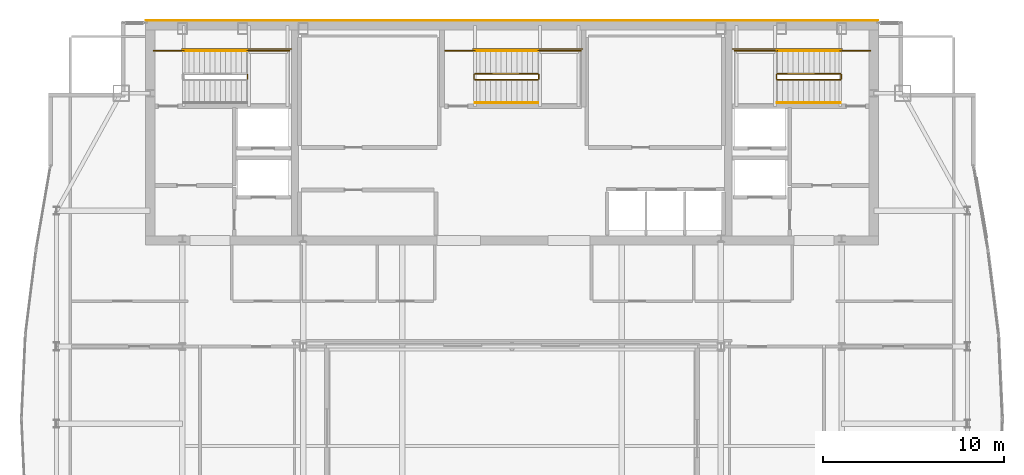
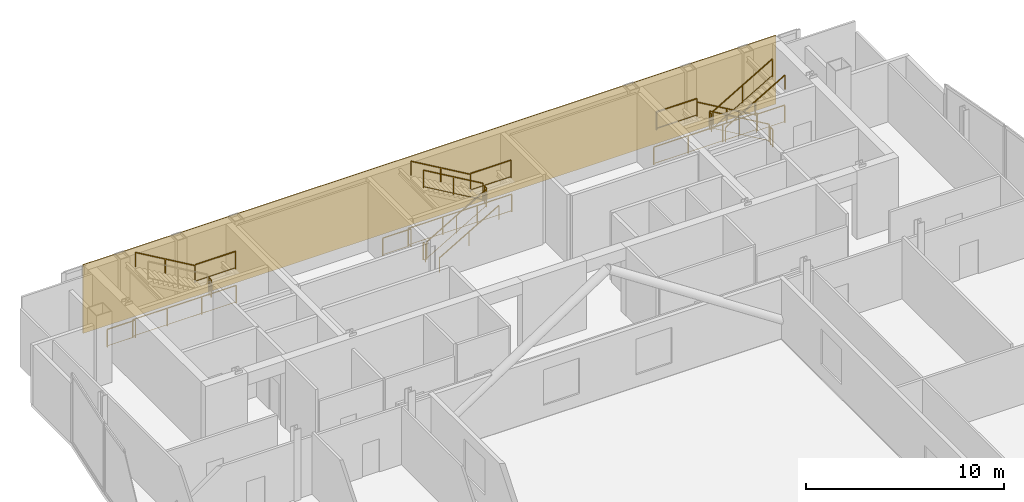
# One storey, part 27 of 27: 23 railings, 1 covering.
"""IFC4 building model written with IfcOpenShell, lengths in metres."""

from ifc_helpers import new_model, si_unit, direction, frame, origin, origin_2d, place, context, subcontext, project, spatial, polyline, rectangle, outline, extrude, material, layer, layer_set, type_object, element, save


model = new_model("IFC4")

# Units and contexts
model_context = context("Model", 3, precision=1e-05, world=origin(), true_north=direction((0.0, 1.0)))
body_context = subcontext(model_context, "Body", "Model", "MODEL_VIEW")
ifc_project = project(units=[si_unit("LENGTHUNIT", "METRE"), si_unit("AREAUNIT", "SQUARE_METRE"), si_unit("VOLUMEUNIT", "CUBIC_METRE"), si_unit("PLANEANGLEUNIT", "RADIAN"), si_unit("MASSUNIT", "GRAM", prefix="KILO")], contexts=[model_context])

# Site, building, storey
site_placement = place(None, origin())
site = spatial("IfcSite", under=ifc_project, at=site_placement, CompositionType="ELEMENT")
building_placement = place(site_placement, origin())
building = spatial("IfcBuilding", under=site, at=building_placement, Name="Khoronbel Lancet Exchange", CompositionType="ELEMENT")
storey_placement = place(building_placement, frame((0.0, 0.0, 305.800048828125)))
storey = spatial("IfcBuildingStorey", under=building, at=storey_placement, Name="L79", CompositionType="ELEMENT", Elevation=305.800048828125)

# Covering
ifc_material_1 = material(Name="Honed Egyptian Limestone & Bronze Rainscreen", Category="masonry")
ifc_layer = layer(ifc_material_1, 0.050048828125, Name="Honed Egyptian Limestone & Bronze Rainscreen")
ifc_layer_set = layer_set([ifc_layer], Name="Honed Egyptian Limestone & Bronze Rainscreen")
covering_type = type_object("IfcCoveringType", Name="COV-CLAD1", PredefinedType="CLADDING", material=ifc_layer_set)
covering_placement = place(storey_placement, origin())
element("IfcCovering", 1, at=covering_placement, inside=storey, type_object=covering_type, Name="Level L79 north rear-core stone and bronze rainscreen cladding", PredefinedType="CLADDING", context=body_context, shape_type="SweptSolid", body=[
    extrude(outline(polyline([(16.199951171875, 53.699951171875), (56.699951171875, 53.699951171875), (56.699951171875, 53.75), (16.199951171875, 53.75), (16.199951171875, 53.699951171875)])), origin(), (0.0, 0.0, 1.0), 4.239990234375),
])

# Railings
ifc_material_2 = material(Name="Painted Steel Balustrade", Category="steel")
railing_type_1 = type_object("IfcRailingType", Name="RL-STG110", PredefinedType="GUARDRAIL", material=ifc_material_2)
railing_1_placement = place(storey_placement, frame((21.830078125, 50.5, 2.199951171875)))
element("IfcRailing", 2, at=railing_1_placement, inside=storey, type_object=railing_type_1, Name="L79 ST1 stair guard 2", PredefinedType="GUARDRAIL", context=body_context, shape_type="SweptSolid", body=[
    extrude(rectangle(XDim=0.048095703125, YDim=0.048095703125, at=origin_2d()), frame((0.0, 0.0, 1.09619140625), z_axis=(0.0, 1.0, 0.0), x_axis=(-1.0, 0.0, 0.0)), (0.0, 0.0, 1.0), 0.219970703125),
    extrude(rectangle(XDim=0.02392578125, YDim=0.02392578125, at=origin_2d()), frame((0.0, 0.0, 0.080078125), z_axis=(0.0, 1.0, 0.0), x_axis=(-1.0, 0.0, 0.0)), (0.0, 0.0, 1.0), 0.219970703125),
    extrude(rectangle(XDim=0.0419921875, YDim=0.0419921875, at=origin_2d()), origin(), (0.0, 0.0, 1.0), 1.072021484375),
    extrude(rectangle(XDim=0.0419921875, YDim=0.0419921875, at=origin_2d()), frame((0.0, 0.219970703125, 0.0)), (0.0, 0.0, 1.0), 1.072021484375),
])
railing_2_placement = place(storey_placement, frame((21.780029296875, 52.050048828125, 2.199951171875)))
element("IfcRailing", 3, at=railing_2_placement, inside=storey, type_object=railing_type_1, Name="L79 ST1 stair guard 3", PredefinedType="GUARDRAIL", context=body_context, shape_type="SweptSolid", body=[
    extrude(rectangle(XDim=0.048095703125, YDim=0.048095703125, at=origin_2d()), frame((0.0, 0.0, 1.09619140625), z_axis=(1.0, 0.0, 0.0), x_axis=(0.0, 1.0, 0.0)), (0.0, 0.0, 1.0), 2.369873046875),
    extrude(rectangle(XDim=0.02392578125, YDim=0.02392578125, at=origin_2d()), frame((0.0, 0.0, 0.080078125), z_axis=(1.0, 0.0, 0.0), x_axis=(0.0, 1.0, 0.0)), (0.0, 0.0, 1.0), 2.369873046875),
    extrude(rectangle(XDim=0.0419921875, YDim=0.0419921875, at=origin_2d()), origin(), (0.0, 0.0, 1.0), 1.072021484375),
    extrude(rectangle(XDim=0.0419921875, YDim=0.0419921875, at=origin_2d()), frame((2.369873046875, 0.0, 0.0)), (0.0, 0.0, 1.0), 1.072021484375),
])
railing_3_placement = place(storey_placement, frame((16.64990234375, 52.050048828125, 0.0)))
element("IfcRailing", 4, at=railing_3_placement, inside=storey, type_object=railing_type_1, Name="L79 ST1 stair guard 6", PredefinedType="GUARDRAIL", context=body_context, shape_type="SweptSolid", body=[
    extrude(rectangle(XDim=0.048095703125, YDim=0.048095703125, at=origin_2d()), frame((0.0, 0.0, 1.09619140625), z_axis=(1.0, 0.0, 0.0), x_axis=(0.0, 1.0, 0.0)), (0.0, 0.0, 1.0), 1.650146484375),
    extrude(rectangle(XDim=0.02392578125, YDim=0.02392578125, at=origin_2d()), frame((0.0, 0.0, 0.080078125), z_axis=(1.0, 0.0, 0.0), x_axis=(0.0, 1.0, 0.0)), (0.0, 0.0, 1.0), 1.650146484375),
    extrude(rectangle(XDim=0.0419921875, YDim=0.0419921875, at=origin_2d()), origin(), (0.0, 0.0, 1.0), 1.072021484375),
    extrude(rectangle(XDim=0.0419921875, YDim=0.0419921875, at=origin_2d()), frame((1.650146484375, 0.0, 0.0)), (0.0, 0.0, 1.0), 1.072021484375),
])
railing_4_placement = place(storey_placement, frame((18.199951171875, 52.14990234375, 0.0)))
element("IfcRailing", 5, at=railing_4_placement, inside=storey, type_object=railing_type_1, Name="L79 ST1 stair guard 7", PredefinedType="GUARDRAIL", context=body_context, shape_type="SweptSolid", body=[
    extrude(rectangle(XDim=0.048095703125, YDim=0.048095703125, at=origin_2d()), frame((0.0, 0.0, 1.09619140625), z_axis=(1.0, 0.0, 0.0), x_axis=(0.0, 1.0, 0.0)), (0.0, 0.0, 1.0), 6.050048828125),
    extrude(rectangle(XDim=0.02392578125, YDim=0.02392578125, at=origin_2d()), frame((0.0, 0.0, 0.080078125), z_axis=(1.0, 0.0, 0.0), x_axis=(0.0, 1.0, 0.0)), (0.0, 0.0, 1.0), 6.050048828125),
    extrude(rectangle(XDim=0.0419921875, YDim=0.0419921875, at=origin_2d()), origin(), (0.0, 0.0, 1.0), 1.072021484375),
    extrude(rectangle(XDim=0.0419921875, YDim=0.0419921875, at=origin_2d()), frame((2.0166015625, 0.0, 0.0)), (0.0, 0.0, 1.0), 1.072021484375),
    extrude(rectangle(XDim=0.0419921875, YDim=0.0419921875, at=origin_2d()), frame((4.033447265625, 0.0, 0.0)), (0.0, 0.0, 1.0), 1.072021484375),
    extrude(rectangle(XDim=0.0419921875, YDim=0.0419921875, at=origin_2d()), frame((6.050048828125, 0.0, 0.0)), (0.0, 0.0, 1.0), 1.072021484375),
])
railing_5_placement = place(storey_placement, frame((54.60009765625, 50.77001953125, 0.169189453125)))
element("IfcRailing", 6, at=railing_5_placement, inside=storey, type_object=railing_type_1, Name="L79 ST2 stair guard 1", PredefinedType="GUARDRAIL", context=body_context, shape_type="SweptSolid", body=[
    extrude(rectangle(XDim=0.048095703125, YDim=0.048095703125, at=origin_2d()), frame((0.0, 0.0, 1.09619140625), z_axis=(-0.863695377172, 0.0, 0.504014181796), x_axis=(0.0, -1.0, 0.0)), (0.0, 0.0, 1.0), 4.029296875),
    extrude(rectangle(XDim=0.02392578125, YDim=0.02392578125, at=origin_2d()), frame((0.0, 0.0, 0.080078125), z_axis=(-0.863695377172, 0.0, 0.504014181796), x_axis=(0.0, -1.0, 0.0)), (0.0, 0.0, 1.0), 4.029296875),
    extrude(rectangle(XDim=0.0419921875, YDim=0.0419921875, at=origin_2d()), origin(), (0.0, 0.0, 1.0), 1.072021484375),
    extrude(rectangle(XDim=0.0419921875, YDim=0.0419921875, at=origin_2d()), frame((-1.739990234375, 0.0, 1.015380859375)), (0.0, 0.0, 1.0), 1.072021484375),
    extrude(rectangle(XDim=0.0419921875, YDim=0.0419921875, at=origin_2d()), frame((-3.47998046875, 0.0, 2.03076171875)), (0.0, 0.0, 1.0), 1.072021484375),
])
railing_6_placement = place(storey_placement, frame((51.070068359375, 50.719970703125, 2.199951171875)))
element("IfcRailing", 7, at=railing_6_placement, inside=storey, type_object=railing_type_1, Name="L79 ST2 stair guard 2", PredefinedType="GUARDRAIL", context=body_context, shape_type="SweptSolid", body=[
    extrude(rectangle(XDim=0.048095703125, YDim=0.048095703125, at=origin_2d()), frame((0.0, 0.0, 1.09619140625), z_axis=(0.0, -1.0, 0.0), x_axis=(1.0, 0.0, 0.0)), (0.0, 0.0, 1.0), 0.219970703125),
    extrude(rectangle(XDim=0.02392578125, YDim=0.02392578125, at=origin_2d()), frame((0.0, 0.0, 0.080078125), z_axis=(0.0, -1.0, 0.0), x_axis=(1.0, 0.0, 0.0)), (0.0, 0.0, 1.0), 0.219970703125),
    extrude(rectangle(XDim=0.0419921875, YDim=0.0419921875, at=origin_2d()), origin(), (0.0, 0.0, 1.0), 1.072021484375),
    extrude(rectangle(XDim=0.0419921875, YDim=0.0419921875, at=origin_2d()), frame((0.0, -0.219970703125, 0.0)), (0.0, 0.0, 1.0), 1.072021484375),
])
railing_7_placement = place(storey_placement, frame((51.1201171875, 52.050048828125, 2.199951171875)))
element("IfcRailing", 8, at=railing_7_placement, inside=storey, type_object=railing_type_1, Name="L79 ST2 stair guard 3", PredefinedType="GUARDRAIL", context=body_context, shape_type="SweptSolid", body=[
    extrude(rectangle(XDim=0.048095703125, YDim=0.048095703125, at=origin_2d()), frame((0.0, 0.0, 1.09619140625), z_axis=(-1.0, 0.0, 0.0), x_axis=(0.0, -1.0, 0.0)), (0.0, 0.0, 1.0), 2.3701171875),
    extrude(rectangle(XDim=0.02392578125, YDim=0.02392578125, at=origin_2d()), frame((0.0, 0.0, 0.080078125), z_axis=(-1.0, 0.0, 0.0), x_axis=(0.0, -1.0, 0.0)), (0.0, 0.0, 1.0), 2.3701171875),
    extrude(rectangle(XDim=0.0419921875, YDim=0.0419921875, at=origin_2d()), origin(), (0.0, 0.0, 1.0), 1.072021484375),
    extrude(rectangle(XDim=0.0419921875, YDim=0.0419921875, at=origin_2d()), frame((-2.3701171875, 0.0, 0.0)), (0.0, 0.0, 1.0), 1.072021484375),
])
railing_8_placement = place(storey_placement, frame((51.1201171875, 50.449951171875, 2.369140625)))
element("IfcRailing", 9, at=railing_8_placement, inside=storey, type_object=railing_type_1, Name="L79 ST2 stair guard 4", PredefinedType="GUARDRAIL", context=body_context, shape_type="SweptSolid", body=[
    extrude(rectangle(XDim=0.048095703125, YDim=0.048095703125, at=origin_2d()), frame((0.0, 0.0, 1.09619140625), z_axis=(0.863695377172, 0.0, 0.504014181796), x_axis=(0.0, 1.0, 0.0)), (0.0, 0.0, 1.0), 4.029296875),
    extrude(rectangle(XDim=0.02392578125, YDim=0.02392578125, at=origin_2d()), frame((0.0, 0.0, 0.080078125), z_axis=(0.863695377172, 0.0, 0.504014181796), x_axis=(0.0, 1.0, 0.0)), (0.0, 0.0, 1.0), 4.029296875),
    extrude(rectangle(XDim=0.0419921875, YDim=0.0419921875, at=origin_2d()), origin(), (0.0, 0.0, 1.0), 1.072021484375),
    extrude(rectangle(XDim=0.0419921875, YDim=0.0419921875, at=origin_2d()), frame((1.739990234375, 0.0, 1.015380859375)), (0.0, 0.0, 1.0), 1.072021484375),
    extrude(rectangle(XDim=0.0419921875, YDim=0.0419921875, at=origin_2d()), frame((3.47998046875, 0.0, 2.03076171875)), (0.0, 0.0, 1.0), 1.072021484375),
])
railing_9_placement = place(storey_placement, frame((54.64990234375, 50.719970703125, 0.0)))
element("IfcRailing", 10, at=railing_9_placement, inside=storey, type_object=railing_type_1, Name="L79 ST2 stair guard 5", PredefinedType="GUARDRAIL", context=body_context, shape_type="SweptSolid", body=[
    extrude(rectangle(XDim=0.048095703125, YDim=0.048095703125, at=origin_2d()), frame((0.0, 0.0, 1.09619140625), z_axis=(0.0, -1.0, 0.0), x_axis=(1.0, 0.0, 0.0)), (0.0, 0.0, 1.0), 0.219970703125),
    extrude(rectangle(XDim=0.02392578125, YDim=0.02392578125, at=origin_2d()), frame((0.0, 0.0, 0.080078125), z_axis=(0.0, -1.0, 0.0), x_axis=(1.0, 0.0, 0.0)), (0.0, 0.0, 1.0), 0.219970703125),
    extrude(rectangle(XDim=0.0419921875, YDim=0.0419921875, at=origin_2d()), origin(), (0.0, 0.0, 1.0), 1.072021484375),
    extrude(rectangle(XDim=0.0419921875, YDim=0.0419921875, at=origin_2d()), frame((0.0, -0.219970703125, 0.0)), (0.0, 0.0, 1.0), 1.072021484375),
])
railing_10_placement = place(storey_placement, frame((56.25, 52.050048828125, 0.0)))
element("IfcRailing", 11, at=railing_10_placement, inside=storey, type_object=railing_type_1, Name="L79 ST2 stair guard 6", PredefinedType="GUARDRAIL", context=body_context, shape_type="SweptSolid", body=[
    extrude(rectangle(XDim=0.048095703125, YDim=0.048095703125, at=origin_2d()), frame((0.0, 0.0, 1.09619140625), z_axis=(-1.0, 0.0, 0.0), x_axis=(0.0, -1.0, 0.0)), (0.0, 0.0, 1.0), 1.64990234375),
    extrude(rectangle(XDim=0.02392578125, YDim=0.02392578125, at=origin_2d()), frame((0.0, 0.0, 0.080078125), z_axis=(-1.0, 0.0, 0.0), x_axis=(0.0, -1.0, 0.0)), (0.0, 0.0, 1.0), 1.64990234375),
    extrude(rectangle(XDim=0.0419921875, YDim=0.0419921875, at=origin_2d()), origin(), (0.0, 0.0, 1.0), 1.072021484375),
    extrude(rectangle(XDim=0.0419921875, YDim=0.0419921875, at=origin_2d()), frame((-1.64990234375, 0.0, 0.0)), (0.0, 0.0, 1.0), 1.072021484375),
])
railing_11_placement = place(storey_placement, frame((54.699951171875, 52.14990234375, 0.0)))
element("IfcRailing", 12, at=railing_11_placement, inside=storey, type_object=railing_type_1, Name="L79 ST2 stair guard 7", PredefinedType="GUARDRAIL", context=body_context, shape_type="SweptSolid", body=[
    extrude(rectangle(XDim=0.048095703125, YDim=0.048095703125, at=origin_2d()), frame((0.0, 0.0, 1.09619140625), z_axis=(-1.0, 0.0, 0.0), x_axis=(0.0, -1.0, 0.0)), (0.0, 0.0, 1.0), 6.050048828125),
    extrude(rectangle(XDim=0.02392578125, YDim=0.02392578125, at=origin_2d()), frame((0.0, 0.0, 0.080078125), z_axis=(-1.0, 0.0, 0.0), x_axis=(0.0, -1.0, 0.0)), (0.0, 0.0, 1.0), 6.050048828125),
    extrude(rectangle(XDim=0.0419921875, YDim=0.0419921875, at=origin_2d()), origin(), (0.0, 0.0, 1.0), 1.072021484375),
    extrude(rectangle(XDim=0.0419921875, YDim=0.0419921875, at=origin_2d()), frame((-2.0166015625, 0.0, 0.0)), (0.0, 0.0, 1.0), 1.072021484375),
    extrude(rectangle(XDim=0.0419921875, YDim=0.0419921875, at=origin_2d()), frame((-4.033447265625, 0.0, 0.0)), (0.0, 0.0, 1.0), 1.072021484375),
    extrude(rectangle(XDim=0.0419921875, YDim=0.0419921875, at=origin_2d()), frame((-6.050048828125, 0.0, 0.0)), (0.0, 0.0, 1.0), 1.072021484375),
])
railing_12_placement = place(storey_placement, frame((34.39990234375, 50.449951171875, 0.169189453125)))
element("IfcRailing", 13, at=railing_12_placement, inside=storey, type_object=railing_type_1, Name="L79 ST3 stair guard 1", PredefinedType="GUARDRAIL", context=body_context, shape_type="SweptSolid", body=[
    extrude(rectangle(XDim=0.048095703125, YDim=0.048095703125, at=origin_2d()), frame((0.0, 0.0, 1.09619140625), z_axis=(0.863695377172, 0.0, 0.504014181796), x_axis=(0.0, 1.0, 0.0)), (0.0, 0.0, 1.0), 4.029296875),
    extrude(rectangle(XDim=0.02392578125, YDim=0.02392578125, at=origin_2d()), frame((0.0, 0.0, 0.080078125), z_axis=(0.863695377172, 0.0, 0.504014181796), x_axis=(0.0, 1.0, 0.0)), (0.0, 0.0, 1.0), 4.029296875),
    extrude(rectangle(XDim=0.0419921875, YDim=0.0419921875, at=origin_2d()), origin(), (0.0, 0.0, 1.0), 1.072021484375),
    extrude(rectangle(XDim=0.0419921875, YDim=0.0419921875, at=origin_2d()), frame((1.739990234375, 0.0, 1.015380859375)), (0.0, 0.0, 1.0), 1.072021484375),
    extrude(rectangle(XDim=0.0419921875, YDim=0.0419921875, at=origin_2d()), frame((3.47998046875, 0.0, 2.03076171875)), (0.0, 0.0, 1.0), 1.072021484375),
])
railing_13_placement = place(storey_placement, frame((37.929931640625, 50.5, 2.199951171875)))
element("IfcRailing", 14, at=railing_13_placement, inside=storey, type_object=railing_type_1, Name="L79 ST3 stair guard 2", PredefinedType="GUARDRAIL", context=body_context, shape_type="SweptSolid", body=[
    extrude(rectangle(XDim=0.048095703125, YDim=0.048095703125, at=origin_2d()), frame((0.0, 0.0, 1.09619140625), z_axis=(0.0, 1.0, 0.0), x_axis=(-1.0, 0.0, 0.0)), (0.0, 0.0, 1.0), 0.219970703125),
    extrude(rectangle(XDim=0.02392578125, YDim=0.02392578125, at=origin_2d()), frame((0.0, 0.0, 0.080078125), z_axis=(0.0, 1.0, 0.0), x_axis=(-1.0, 0.0, 0.0)), (0.0, 0.0, 1.0), 0.219970703125),
    extrude(rectangle(XDim=0.0419921875, YDim=0.0419921875, at=origin_2d()), origin(), (0.0, 0.0, 1.0), 1.072021484375),
    extrude(rectangle(XDim=0.0419921875, YDim=0.0419921875, at=origin_2d()), frame((0.0, 0.219970703125, 0.0)), (0.0, 0.0, 1.0), 1.072021484375),
])
railing_14_placement = place(storey_placement, frame((37.8798828125, 52.050048828125, 2.199951171875)))
element("IfcRailing", 15, at=railing_14_placement, inside=storey, type_object=railing_type_1, Name="L79 ST3 stair guard 3", PredefinedType="GUARDRAIL", context=body_context, shape_type="SweptSolid", body=[
    extrude(rectangle(XDim=0.048095703125, YDim=0.048095703125, at=origin_2d()), frame((0.0, 0.0, 1.09619140625), z_axis=(1.0, 0.0, 0.0), x_axis=(0.0, 1.0, 0.0)), (0.0, 0.0, 1.0), 2.3701171875),
    extrude(rectangle(XDim=0.02392578125, YDim=0.02392578125, at=origin_2d()), frame((0.0, 0.0, 0.080078125), z_axis=(1.0, 0.0, 0.0), x_axis=(0.0, 1.0, 0.0)), (0.0, 0.0, 1.0), 2.3701171875),
    extrude(rectangle(XDim=0.0419921875, YDim=0.0419921875, at=origin_2d()), origin(), (0.0, 0.0, 1.0), 1.072021484375),
    extrude(rectangle(XDim=0.0419921875, YDim=0.0419921875, at=origin_2d()), frame((2.3701171875, 0.0, 0.0)), (0.0, 0.0, 1.0), 1.072021484375),
])
railing_15_placement = place(storey_placement, frame((37.8798828125, 50.77001953125, 2.369140625)))
element("IfcRailing", 16, at=railing_15_placement, inside=storey, type_object=railing_type_1, Name="L79 ST3 stair guard 4", PredefinedType="GUARDRAIL", context=body_context, shape_type="SweptSolid", body=[
    extrude(rectangle(XDim=0.048095703125, YDim=0.048095703125, at=origin_2d()), frame((0.0, 0.0, 1.09619140625), z_axis=(-0.863695377172, 0.0, 0.504014181796), x_axis=(0.0, -1.0, 0.0)), (0.0, 0.0, 1.0), 4.029296875),
    extrude(rectangle(XDim=0.02392578125, YDim=0.02392578125, at=origin_2d()), frame((0.0, 0.0, 0.080078125), z_axis=(-0.863695377172, 0.0, 0.504014181796), x_axis=(0.0, -1.0, 0.0)), (0.0, 0.0, 1.0), 4.029296875),
    extrude(rectangle(XDim=0.0419921875, YDim=0.0419921875, at=origin_2d()), origin(), (0.0, 0.0, 1.0), 1.072021484375),
    extrude(rectangle(XDim=0.0419921875, YDim=0.0419921875, at=origin_2d()), frame((-1.739990234375, 0.0, 1.015380859375)), (0.0, 0.0, 1.0), 1.072021484375),
    extrude(rectangle(XDim=0.0419921875, YDim=0.0419921875, at=origin_2d()), frame((-3.47998046875, 0.0, 2.03076171875)), (0.0, 0.0, 1.0), 1.072021484375),
])
railing_16_placement = place(storey_placement, frame((34.35009765625, 50.5, 0.0)))
element("IfcRailing", 17, at=railing_16_placement, inside=storey, type_object=railing_type_1, Name="L79 ST3 stair guard 5", PredefinedType="GUARDRAIL", context=body_context, shape_type="SweptSolid", body=[
    extrude(rectangle(XDim=0.048095703125, YDim=0.048095703125, at=origin_2d()), frame((0.0, 0.0, 1.09619140625), z_axis=(0.0, 1.0, 0.0), x_axis=(-1.0, 0.0, 0.0)), (0.0, 0.0, 1.0), 0.219970703125),
    extrude(rectangle(XDim=0.02392578125, YDim=0.02392578125, at=origin_2d()), frame((0.0, 0.0, 0.080078125), z_axis=(0.0, 1.0, 0.0), x_axis=(-1.0, 0.0, 0.0)), (0.0, 0.0, 1.0), 0.219970703125),
    extrude(rectangle(XDim=0.0419921875, YDim=0.0419921875, at=origin_2d()), origin(), (0.0, 0.0, 1.0), 1.072021484375),
    extrude(rectangle(XDim=0.0419921875, YDim=0.0419921875, at=origin_2d()), frame((0.0, 0.219970703125, 0.0)), (0.0, 0.0, 1.0), 1.072021484375),
])
railing_17_placement = place(storey_placement, frame((32.75, 52.050048828125, 0.0)))
element("IfcRailing", 18, at=railing_17_placement, inside=storey, type_object=railing_type_1, Name="L79 ST3 stair guard 6", PredefinedType="GUARDRAIL", context=body_context, shape_type="SweptSolid", body=[
    extrude(rectangle(XDim=0.048095703125, YDim=0.048095703125, at=origin_2d()), frame((0.0, 0.0, 1.09619140625), z_axis=(1.0, 0.0, 0.0), x_axis=(0.0, 1.0, 0.0)), (0.0, 0.0, 1.0), 1.64990234375),
    extrude(rectangle(XDim=0.02392578125, YDim=0.02392578125, at=origin_2d()), frame((0.0, 0.0, 0.080078125), z_axis=(1.0, 0.0, 0.0), x_axis=(0.0, 1.0, 0.0)), (0.0, 0.0, 1.0), 1.64990234375),
    extrude(rectangle(XDim=0.0419921875, YDim=0.0419921875, at=origin_2d()), origin(), (0.0, 0.0, 1.0), 1.072021484375),
    extrude(rectangle(XDim=0.0419921875, YDim=0.0419921875, at=origin_2d()), frame((1.64990234375, 0.0, 0.0)), (0.0, 0.0, 1.0), 1.072021484375),
])
railing_18_placement = place(storey_placement, frame((34.300048828125, 52.14990234375, 0.0)))
element("IfcRailing", 19, at=railing_18_placement, inside=storey, type_object=railing_type_1, Name="L79 ST3 stair guard 7", PredefinedType="GUARDRAIL", context=body_context, shape_type="SweptSolid", body=[
    extrude(rectangle(XDim=0.048095703125, YDim=0.048095703125, at=origin_2d()), frame((0.0, 0.0, 1.09619140625), z_axis=(1.0, 0.0, 0.0), x_axis=(0.0, 1.0, 0.0)), (0.0, 0.0, 1.0), 6.050048828125),
    extrude(rectangle(XDim=0.02392578125, YDim=0.02392578125, at=origin_2d()), frame((0.0, 0.0, 0.080078125), z_axis=(1.0, 0.0, 0.0), x_axis=(0.0, 1.0, 0.0)), (0.0, 0.0, 1.0), 6.050048828125),
    extrude(rectangle(XDim=0.0419921875, YDim=0.0419921875, at=origin_2d()), origin(), (0.0, 0.0, 1.0), 1.072021484375),
    extrude(rectangle(XDim=0.0419921875, YDim=0.0419921875, at=origin_2d()), frame((2.0166015625, 0.0, 0.0)), (0.0, 0.0, 1.0), 1.072021484375),
    extrude(rectangle(XDim=0.0419921875, YDim=0.0419921875, at=origin_2d()), frame((4.033447265625, 0.0, 0.0)), (0.0, 0.0, 1.0), 1.072021484375),
    extrude(rectangle(XDim=0.0419921875, YDim=0.0419921875, at=origin_2d()), frame((6.050048828125, 0.0, 0.0)), (0.0, 0.0, 1.0), 1.072021484375),
])
ifc_material_3 = material(Name="Brushed Stainless Steel 316", Category="steel")
railing_type_2 = type_object("IfcRailingType", Name="RL-STH92", PredefinedType="HANDRAIL", material=ifc_material_3)
for number, where, name in (
    (20, (21.780029296875, 52.050048828125, 2.369140625), "L79 ST1 stair handrail 2"),
    (21, (54.60009765625, 52.050048828125, 0.169189453125), "L79 ST2 stair handrail 1"),
):
    element("IfcRailing", number, at=place(storey_placement, frame(where)), inside=storey, type_object=railing_type_2, Name=name, PredefinedType="HANDRAIL", context=body_context, shape_type="SweptSolid", body=[
        extrude(rectangle(XDim=0.048095703125, YDim=0.048095703125, at=origin_2d()), frame((0.0, 0.0, 0.8759765625), z_axis=(-0.863695377172, 0.0, 0.504014181796), x_axis=(0.0, -1.0, 0.0)), (0.0, 0.0, 1.0), 4.029296875),
        extrude(rectangle(XDim=0.0419921875, YDim=0.0419921875, at=origin_2d()), origin(), (0.0, 0.0, 1.0), 0.851806640625),
        extrude(rectangle(XDim=0.0419921875, YDim=0.0419921875, at=origin_2d()), frame((-1.739990234375, 0.0, 1.015380859375)), (0.0, 0.0, 1.0), 0.851806640625),
        extrude(rectangle(XDim=0.0419921875, YDim=0.0419921875, at=origin_2d()), frame((-3.47998046875, 0.0, 2.03076171875)), (0.0, 0.0, 1.0), 0.851806640625),
    ])
for number, where, name in (
    (22, (51.1201171875, 49.169921875, 2.369140625), "L79 ST2 stair handrail 2"),
    (23, (34.39990234375, 49.169921875, 0.169189453125), "L79 ST3 stair handrail 1"),
):
    element("IfcRailing", number, at=place(storey_placement, frame(where)), inside=storey, type_object=railing_type_2, Name=name, PredefinedType="HANDRAIL", context=body_context, shape_type="SweptSolid", body=[
        extrude(rectangle(XDim=0.048095703125, YDim=0.048095703125, at=origin_2d()), frame((0.0, 0.0, 0.8759765625), z_axis=(0.863695377172, 0.0, 0.504014181796), x_axis=(0.0, 1.0, 0.0)), (0.0, 0.0, 1.0), 4.029296875),
        extrude(rectangle(XDim=0.0419921875, YDim=0.0419921875, at=origin_2d()), origin(), (0.0, 0.0, 1.0), 0.851806640625),
        extrude(rectangle(XDim=0.0419921875, YDim=0.0419921875, at=origin_2d()), frame((1.739990234375, 0.0, 1.015380859375)), (0.0, 0.0, 1.0), 0.851806640625),
        extrude(rectangle(XDim=0.0419921875, YDim=0.0419921875, at=origin_2d()), frame((3.47998046875, 0.0, 2.03076171875)), (0.0, 0.0, 1.0), 0.851806640625),
    ])
railing_19_placement = place(storey_placement, frame((37.8798828125, 52.050048828125, 2.369140625)))
element("IfcRailing", 24, at=railing_19_placement, inside=storey, type_object=railing_type_2, Name="L79 ST3 stair handrail 2", PredefinedType="HANDRAIL", context=body_context, shape_type="SweptSolid", body=[
    extrude(rectangle(XDim=0.048095703125, YDim=0.048095703125, at=origin_2d()), frame((0.0, 0.0, 0.8759765625), z_axis=(-0.863695377172, 0.0, 0.504014181796), x_axis=(0.0, -1.0, 0.0)), (0.0, 0.0, 1.0), 4.029296875),
    extrude(rectangle(XDim=0.0419921875, YDim=0.0419921875, at=origin_2d()), origin(), (0.0, 0.0, 1.0), 0.851806640625),
    extrude(rectangle(XDim=0.0419921875, YDim=0.0419921875, at=origin_2d()), frame((-1.739990234375, 0.0, 1.015380859375)), (0.0, 0.0, 1.0), 0.851806640625),
    extrude(rectangle(XDim=0.0419921875, YDim=0.0419921875, at=origin_2d()), frame((-3.47998046875, 0.0, 2.03076171875)), (0.0, 0.0, 1.0), 0.851806640625),
])

save(model, "model.ifc")
